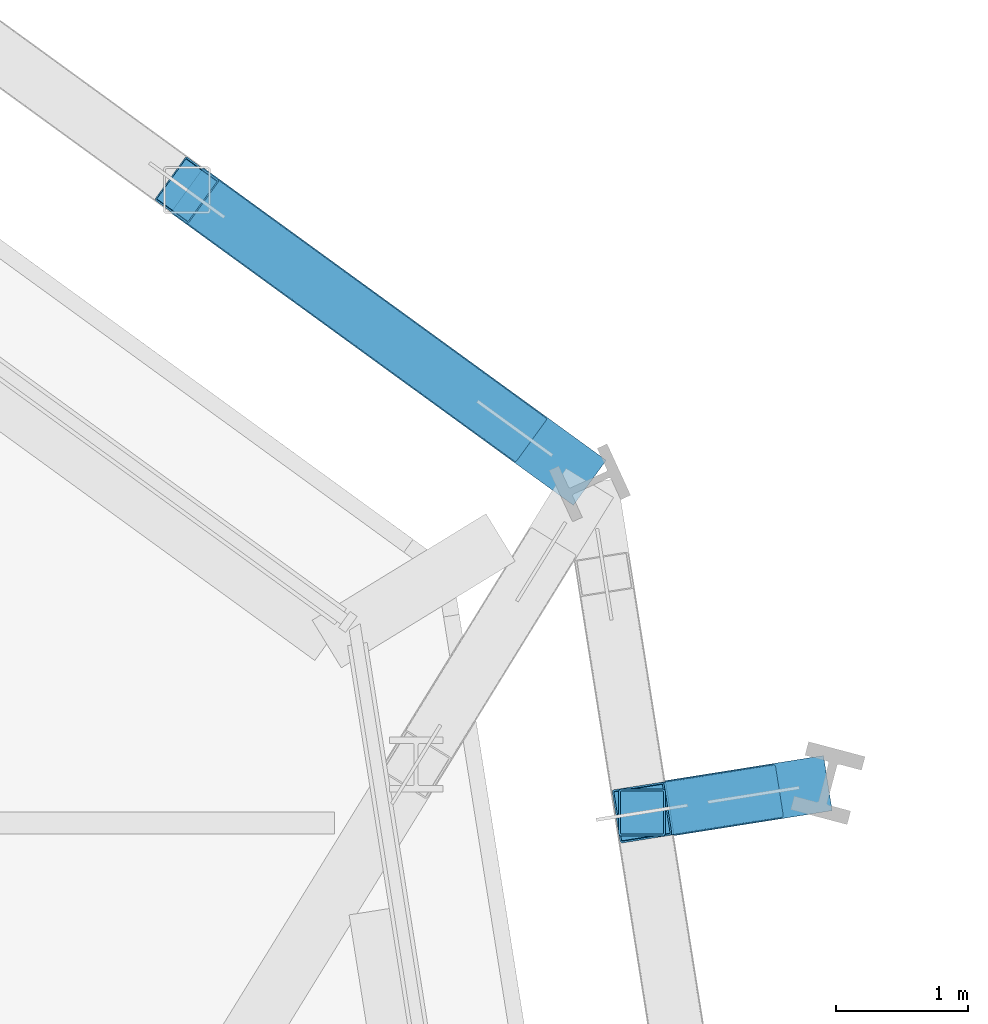
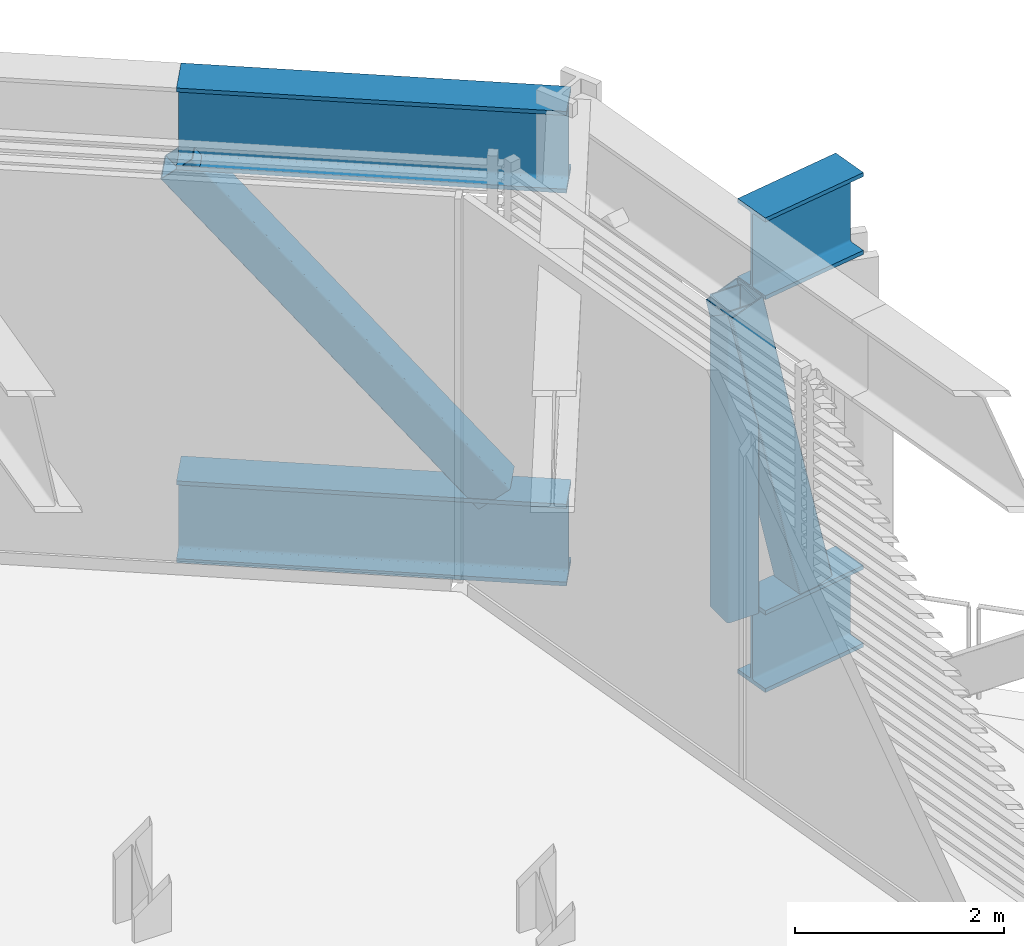
# One storey, part 17 of 32: 4 beams, 3 members.
"""IFC4 building model written with IfcOpenShell, lengths in metres."""

from ifc_helpers import new_model, si_unit, direction, frame, origin, origin_2d, place, context, subcontext, project, spatial, hollow_rectangle, i_section, extrude, material, material_profile, profile_set, type_object, element, save


model = new_model("IFC4")

# Units and contexts
model_context = context("Model", 3, precision=1e-05, world=origin(), true_north=direction((0.0, 1.0)))
body_context = subcontext(model_context, "Body", "Model", "MODEL_VIEW")
ifc_project = project(units=[si_unit("LENGTHUNIT", "METRE"), si_unit("AREAUNIT", "SQUARE_METRE"), si_unit("VOLUMEUNIT", "CUBIC_METRE"), si_unit("PLANEANGLEUNIT", "RADIAN"), si_unit("MASSUNIT", "GRAM", prefix="KILO")], contexts=[model_context])

# Site, building, storey
site_placement = place(None, origin())
site = spatial("IfcSite", under=ifc_project, at=site_placement, CompositionType="ELEMENT")
building_placement = place(site_placement, origin())
building = spatial("IfcBuilding", under=site, at=building_placement, Name="Millrace Tower", CompositionType="ELEMENT")
storey_placement = place(building_placement, frame((0.0, 0.0, 124.89990234375)))
storey = spatial("IfcBuildingStorey", under=building, at=storey_placement, Name="L27", CompositionType="ELEMENT", Elevation=124.89990234375)

# Beams
ifc_material_1 = material(Name="Steel ASTM A992 Grade 50", Category="steel")
ifc_material_profile_1 = material_profile(ifc_material_1, i_section(OverallWidth=0.421630859375, OverallDepth=0.95751953125, WebThickness=0.02587890625, FlangeThickness=0.046875, FilletRadius=0.024169921875, at=origin_2d()))
ifc_profile_set_1 = profile_set([ifc_material_profile_1], Name="Steel ASTM A992 Grade 50")
beam_type = type_object("IfcBeamType", Name="Transfer truss chord W36x330", PredefinedType="BEAM", material=ifc_profile_set_1)
for number, where, z_axis, x_axis, name in (
    (1, (23.2294921875, 23.569091796875, -0.638671875), (-0.809024978662, 0.587774262707, 0.0), (-0.587774262707, -0.809024978662, 0.0), "TRS-L27-R09-B01"),
    (2, (23.2294921875, 23.569091796875, 3.96142578125), (-0.809024978662, 0.587774262707, 0.0), (-0.587774262707, -0.809024978662, 0.0), "TRS-L27-R09-T01"),
):
    element("IfcBeam", number, at=place(storey_placement, frame(where, z_axis=z_axis, x_axis=x_axis)), inside=storey, type_object=beam_type, Name=name, PredefinedType="BEAM", context=body_context, shape_type="SweptSolid", body=[
        extrude(i_section(OverallWidth=0.421630859375, OverallDepth=0.95751953125, WebThickness=0.02587890625, FlangeThickness=0.046875, FilletRadius=0.024169921875, at=origin_2d()), origin(), (0.0, 0.0, 1.0), 3.7626953125),
    ])
for number, where, z_axis, x_axis, name in (
    (3, (25.0283203125, 21.300048828125, -0.638671875), (-0.987686015829, -0.156449142332, 0.0), (0.156449142332, -0.987686015829, 0.0), "TRS-L27-B-B-X10-B01"),
    (4, (25.0283203125, 21.300048828125, 3.96142578125), (-0.987686015829, -0.156449142332, 0.0), (0.156449142332, -0.987686015829, 0.0), "TRS-L27-B-B-X10-T01"),
):
    element("IfcBeam", number, at=place(storey_placement, frame(where, z_axis=z_axis, x_axis=x_axis)), inside=storey, type_object=beam_type, Name=name, PredefinedType="BEAM", context=body_context, shape_type="SweptSolid", body=[
        extrude(i_section(OverallWidth=0.421630859375, OverallDepth=0.95751953125, WebThickness=0.02587890625, FlangeThickness=0.046875, FilletRadius=0.024169921875, at=origin_2d()), origin(), (0.0, 0.0, 1.0), 1.2109375),
    ])

# Members
ifc_material_2 = material(Name="Steel ASTM A500 Grade C", Category="steel")
ifc_material_profile_2 = material_profile(ifc_material_2, hollow_rectangle(XDim=0.406494140625, YDim=0.406494140625, WallThickness=0.0126953125, InnerFilletRadius=0.00634765625, OuterFilletRadius=0.01904296875, at=origin_2d()))
ifc_profile_set_2 = profile_set([ifc_material_profile_2], Name="Steel ASTM A500 Grade C")
member_type_1 = type_object("IfcMemberType", Name="Transfer truss diagonal HSS16x16x1/2", PredefinedType="BRACE", material=ifc_profile_set_2)
member_1_placement = place(storey_placement, frame((22.6630859375, 23.98046875, -0.159912109375), z_axis=(-0.520663792471, 0.378300798668, 0.765374235873), x_axis=(-0.587801941336, -0.809004868812, 0.0)))
element("IfcMember", 5, at=member_1_placement, inside=storey, type_object=member_type_1, Name="TRS-L27-R09-D01", PredefinedType="BRACE", context=body_context, shape_type="SweptSolid", body=[
    extrude(hollow_rectangle(XDim=0.406494140625, YDim=0.406494140625, WallThickness=0.0126953125, InnerFilletRadius=0.00634765625, OuterFilletRadius=0.01904296875, at=origin_2d()), origin(), (0.0, 0.0, 1.0), 4.7587890625),
])
member_2_placement = place(storey_placement, frame((24.466796875, 21.2109375, -0.159912109375), z_axis=(-0.225283861632, -0.035632963051, 0.973641347536), x_axis=(0.156227044911, -0.987721170391, 0.0)))
element("IfcMember", 6, at=member_2_placement, inside=storey, type_object=member_type_1, Name="TRS-L27-B-B-X10-D01", PredefinedType="BRACE", context=body_context, shape_type="SweptSolid", body=[
    extrude(hollow_rectangle(XDim=0.406494140625, YDim=0.406494140625, WallThickness=0.0126953125, InnerFilletRadius=0.00634765625, OuterFilletRadius=0.01904296875, at=origin_2d()), origin(), (0.0, 0.0, 1.0), 3.740966796875),
])
ifc_material_3 = material(Name="Steel ASTM A500 Grade C", Category="steel")
ifc_material_profile_3 = material_profile(ifc_material_3, hollow_rectangle(XDim=0.355712890625, YDim=0.355712890625, WallThickness=0.015869140625, InnerFilletRadius=0.008056640625, OuterFilletRadius=0.02392578125, at=origin_2d()))
ifc_profile_set_3 = profile_set([ifc_material_profile_3], Name="Steel ASTM A500 Grade C")
member_type_2 = type_object("IfcMemberType", Name="Transfer truss post HSS14x14x5/8", PredefinedType="POST", material=ifc_profile_set_3)
member_3_placement = place(storey_placement, frame((23.6240234375, 21.07763671875, -0.159912109375), z_axis=(0.0, 0.0, 1.0), x_axis=(1.0, 0.0, 0.0)))
element("IfcMember", 7, at=member_3_placement, inside=storey, type_object=member_type_2, Name="TRS-L27-B-B-X10-V01", PredefinedType="POST", context=body_context, shape_type="SweptSolid", body=[
    extrude(hollow_rectangle(XDim=0.355712890625, YDim=0.355712890625, WallThickness=0.015869140625, InnerFilletRadius=0.008056640625, OuterFilletRadius=0.02392578125, at=origin_2d()), origin(), (0.0, 0.0, 1.0), 3.642333984375),
])

save(model, "model.ifc")
